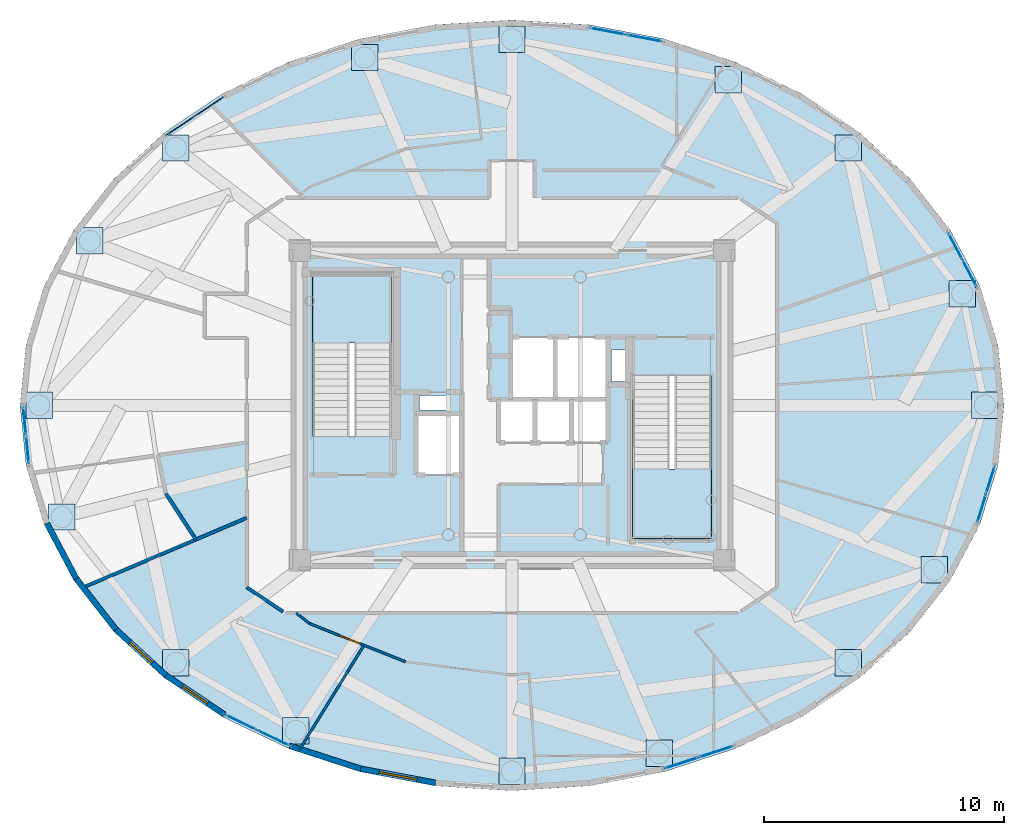
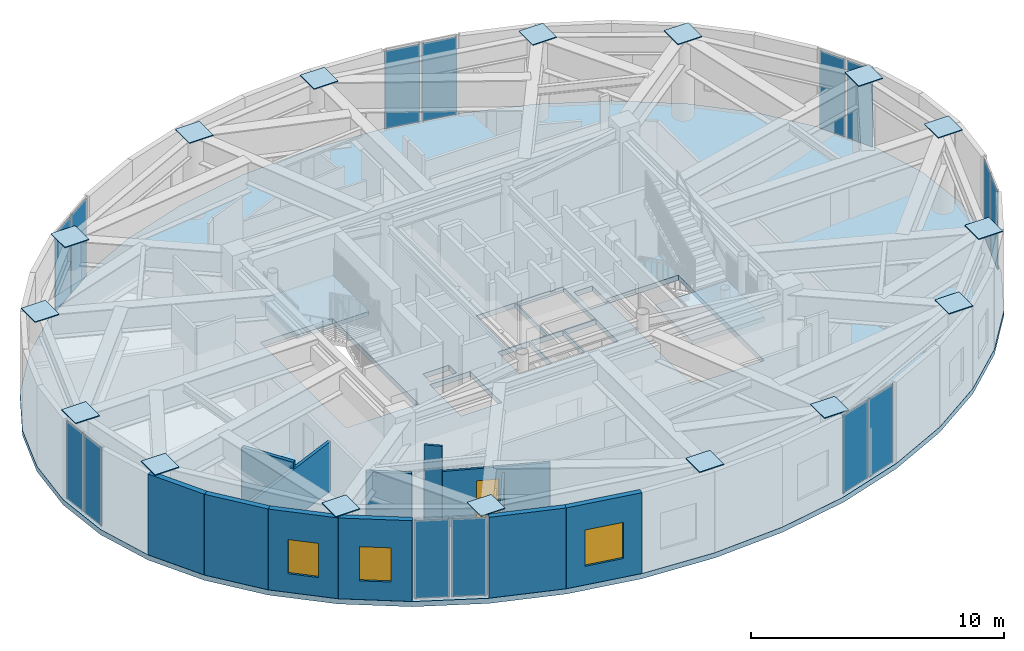
# One storey, part 13 of 23: 30 plates, 12 walls, 3 slabs, 3 windows, 1 door, 4 openings, 9 elements without a shape of their own.
"""IFC4 building model written with IfcOpenShell, lengths in metres."""

from ifc_helpers import new_model, si_unit, direction, frame, frame_2d, origin, origin_2d, place, context, subcontext, project, spatial, polyline, rectangle, outline, extrude, source, transform, mapped, material, layer, layer_set, type_object, element, fill, aggregate, save


model = new_model("IFC4")

# Units and contexts
model_context = context("Model", 3, precision=1e-05, world=origin(), true_north=direction((0.0, 1.0)))
body_context = subcontext(model_context, "Body", "Model", "MODEL_VIEW")
ifc_project = project(units=[si_unit("LENGTHUNIT", "METRE"), si_unit("AREAUNIT", "SQUARE_METRE"), si_unit("VOLUMEUNIT", "CUBIC_METRE"), si_unit("PLANEANGLEUNIT", "RADIAN"), si_unit("MASSUNIT", "GRAM", prefix="KILO")], contexts=[model_context])

# Site, building, storey
site_placement = place(None, origin())
site = spatial("IfcSite", under=ifc_project, at=site_placement, CompositionType="ELEMENT")
building_placement = place(site_placement, origin())
building = spatial("IfcBuilding", under=site, at=building_placement, Name="Linh Dai School and Residence Tower", CompositionType="ELEMENT")
storey_placement = place(building_placement, frame((0.0, 0.0, 359.39990234375)))
storey = spatial("IfcBuildingStorey", under=building, at=storey_placement, Name="L89", CompositionType="ELEMENT", Elevation=359.39990234375)

# Slab
ifc_material_1 = material(Name="Concrete B45 (C35/45)", Category="concrete")
ifc_layer_1 = layer(ifc_material_1, 0.25)
ifc_layer_set_1 = layer_set([ifc_layer_1], Name="Concrete B45 (C35/45)")
slab_type_1 = type_object("IfcSlabType", Name="SLB-FLR250", PredefinedType="FLOOR", material=ifc_layer_set_1)
slab_1_placement = place(storey_placement, frame((0.0, 0.0, -0.25)))
element("IfcSlab", 1, at=slab_1_placement, inside=storey, type_object=slab_type_1, Name="L89 Composite Structural Floor Slab", PredefinedType="FLOOR", context=body_context, shape_type="SweptSolid", body=[
    extrude(outline(polyline([(56.5, 27.0), (56.24755859375, 29.511474609375), (55.49658203125, 31.961181640625), (54.265625, 34.288818359375), (52.5849609375, 36.43701171875), (50.49560546875, 38.3525390625), (48.049560546875, 39.98876953125), (45.306884765625, 41.30517578125), (42.3349609375, 42.269287109375), (39.206787109375, 42.857421875), (36.0, 43.054931640625), (32.793212890625, 42.857421875), (29.6650390625, 42.269287109375), (26.693115234375, 41.30517578125), (23.950439453125, 39.98876953125), (21.50439453125, 38.3525390625), (19.4150390625, 36.43701171875), (17.734375, 34.288818359375), (16.50341796875, 31.961181640625), (15.75244140625, 29.511474609375), (15.5, 27.0), (15.75244140625, 24.488525390625), (16.50341796875, 22.038818359375), (17.734375, 19.711181640625), (19.4150390625, 17.56298828125), (21.50439453125, 15.6474609375), (23.950439453125, 14.01123046875), (26.693115234375, 12.69482421875), (29.6650390625, 11.730712890625), (32.793212890625, 11.142578125), (36.0, 10.945068359375), (39.206787109375, 11.142578125), (42.3349609375, 11.730712890625), (45.306884765625, 12.69482421875), (48.049560546875, 14.01123046875), (50.49560546875, 15.6474609375), (52.5849609375, 17.56298828125), (54.265625, 19.711181640625), (55.49658203125, 22.038818359375), (56.24755859375, 24.488525390625), (56.5, 27.0)]), holes=[polyline([(30.97998046875, 25.699951171875), (30.97998046875, 32.5), (27.679931640625, 32.5), (27.679931640625, 25.699951171875), (30.97998046875, 25.699951171875)]), polyline([(41.02001953125, 28.25), (41.02001953125, 21.449951171875), (44.320068359375, 21.449951171875), (44.320068359375, 28.25), (41.02001953125, 28.25)]), polyline([(35.97998046875, 27.280029296875), (37.77001953125, 27.280029296875), (37.77001953125, 29.820068359375), (35.97998046875, 29.820068359375), (35.97998046875, 27.280029296875)]), polyline([(32.030029296875, 24.1298828125), (33.8701171875, 24.1298828125), (33.8701171875, 26.6201171875), (32.030029296875, 26.6201171875), (32.030029296875, 24.1298828125)]), polyline([(37.830078125, 27.280029296875), (39.969970703125, 27.280029296875), (39.969970703125, 29.820068359375), (37.830078125, 29.820068359375), (37.830078125, 27.280029296875)]), polyline([(35.47998046875, 25.47998046875), (36.929931640625, 25.47998046875), (36.929931640625, 27.219970703125), (35.47998046875, 27.219970703125), (35.47998046875, 25.47998046875)]), polyline([(36.989990234375, 25.47998046875), (38.449951171875, 25.47998046875), (38.449951171875, 27.219970703125), (36.989990234375, 27.219970703125), (36.989990234375, 25.47998046875)]), polyline([(38.510009765625, 25.47998046875), (39.969970703125, 25.47998046875), (39.969970703125, 27.219970703125), (38.510009765625, 27.219970703125), (38.510009765625, 25.47998046875)]), polyline([(40.14990234375, 28.0), (40.14990234375, 29.300048828125), (41.0, 29.300048828125), (41.0, 28.280029296875), (40.989990234375, 28.280029296875), (40.989990234375, 28.0), (40.14990234375, 28.0)]), polyline([(32.14990234375, 26.800048828125), (33.35009765625, 26.800048828125), (33.35009765625, 27.39990234375), (32.14990234375, 27.39990234375), (32.14990234375, 26.800048828125)])]), origin(), (0.0, 0.0, 1.0), 0.25),
])

# Stair, slab
stair_type = type_object("IfcStairType", Name="ST-DOG-1550-R1500", PredefinedType="HALF_TURN_STAIR", material=ifc_material_1)
stair_1_placement = place(storey_placement, origin())
stair_1 = element("IfcStair", 2, at=stair_1_placement, inside=storey, type_object=stair_type, Name="L89 Core Smokeproof Exit Stair ST1", PredefinedType="HALF_TURN_STAIR")
ifc_layer_2 = layer(ifc_material_1, 0.199951171875)
ifc_layer_set_2 = layer_set([ifc_layer_2], Name="Concrete B45 (C35/45)")
slab_type_2 = type_object("IfcSlabType", Name="SLB-ST-LANDING-200", PredefinedType="LANDING", material=ifc_layer_set_2)
slab_2_placement = place(storey_placement, frame((0.0, 0.0, 1.900146484375)))
slab_2 = element("IfcSlab", 3, at=slab_2_placement, type_object=slab_type_2, Name="ST1 landing 1", PredefinedType="LANDING", context=body_context, shape_type="SweptSolid", body=[
    extrude(outline(polyline([(30.97998046875, 29.60009765625), (30.97998046875, 32.5), (27.679931640625, 32.5), (27.679931640625, 29.60009765625), (30.97998046875, 29.60009765625)])), origin(), (0.0, 0.0, 1.0), 0.199951171875),
])
aggregate(stair_1, [slab_2])

stair_2_placement = place(storey_placement, origin())
stair_2 = element("IfcStair", 4, at=stair_2_placement, inside=storey, type_object=stair_type, Name="L89 Core Smokeproof Exit Stair ST2", PredefinedType="HALF_TURN_STAIR")
slab_3_placement = place(storey_placement, frame((0.0, 0.0, 1.900146484375)))
slab_3 = element("IfcSlab", 5, at=slab_3_placement, type_object=slab_type_2, Name="ST2 landing 1", PredefinedType="LANDING", context=body_context, shape_type="SweptSolid", body=[
    extrude(outline(polyline([(41.02001953125, 24.35009765625), (41.02001953125, 21.449951171875), (44.320068359375, 21.449951171875), (44.320068359375, 24.35009765625), (41.02001953125, 24.35009765625)])), origin(), (0.0, 0.0, 1.0), 0.199951171875),
])
aggregate(stair_2, [slab_3])

# Plates
ifc_material_2 = material(Name="Structural Steel S355JR", Category="steel")
ifc_layer_3 = layer(ifc_material_2, 0.0400390625)
ifc_layer_set_3 = layer_set([ifc_layer_3], Name="Structural Steel S355JR")
plate_type_1 = type_object("IfcPlateType", Name="PLT-GP1", PredefinedType="USERDEFINED", material=ifc_layer_set_3)
shared_shape_1 = source(origin(), body_context, "Body", "SweptSolid", [
    extrude(rectangle(XDim=1.10009765625, YDim=1.10009765625, at=origin_2d()), origin(), (0.0, 0.0, 1.0), 0.0400390625),
])
for number, where, z_axis, x_axis, name in (
    (6, (55.699951171875, 27.0, 3.900146484375), (0.0, 0.0, 1.0), (1.0, 0.0, 0.0), "L89 MC01 Column Cap Plate"),
    (7, (54.7578125, 31.65478515625, 3.900146484375), (0.0, 0.0, 1.0), (1.0, 0.0, 0.0), "L89 MC02 Column Cap Plate"),
    (8, (50.00244140625, 37.72265625, 3.900146484375), (0.0, 0.0, 1.0), (1.0, 0.0, 0.0), "L89 MC03 Column Cap Plate"),
    (9, (45.01025390625, 40.56201171875, 3.900146484375), (0.0, 0.0, 1.0), (1.0, 0.0, 0.0), "L89 MC04 Column Cap Plate"),
    (10, (36.0, 42.2548828125, 3.900146484375), (0.0, 0.0, 1.0), (1.0, 0.0, 0.0), "L89 MC05 Column Cap Plate"),
    (11, (29.862548828125, 41.493896484375, 3.900146484375), (0.0, 0.0, 1.0), (1.0, 0.0, 0.0), "L89 MC06 Column Cap Plate"),
    (12, (21.99755859375, 37.72265625, 3.900146484375), (0.0, 0.0, 1.0), (1.0, 0.0, 0.0), "L89 MC07 Column Cap Plate"),
    (13, (18.405029296875, 33.8525390625, 3.900146484375), (0.0, 0.0, 1.0), (1.0, 0.0, 0.0), "L89 MC08 Column Cap Plate"),
    (14, (16.300048828125, 27.0, 3.900146484375), (0.0, 0.0, 1.0), (1.0, 0.0, 0.0), "L89 MC09 Column Cap Plate"),
    (15, (17.2421875, 22.34521484375, 3.900146484375), (0.0, 0.0, 1.0), (1.0, 0.0, 0.0), "L89 MC10 Column Cap Plate"),
    (16, (21.99755859375, 16.27734375, 3.900146484375), (0.0, 0.0, 1.0), (1.0, 0.0, 0.0), "L89 MC11 Column Cap Plate"),
    (17, (26.98974609375, 13.43798828125, 3.900146484375), (0.0, 0.0, 1.0), (1.0, 0.0, 0.0), "L89 MC12 Column Cap Plate"),
    (18, (36.0, 11.7451171875, 3.900146484375), (0.0, 0.0, 1.0), (1.0, 0.0, 0.0), "L89 MC13 Column Cap Plate"),
    (19, (42.137451171875, 12.506103515625, 3.900146484375), (0.0, 0.0, 1.0), (1.0, 0.0, 0.0), "L89 MC14 Column Cap Plate"),
    (20, (50.00244140625, 16.27734375, 3.900146484375), (0.0, 0.0, 1.0), (1.0, 0.0, 0.0), "L89 MC15 Column Cap Plate"),
    (21, (53.594970703125, 20.1474609375, 3.900146484375), (0.0, 0.0, 1.0), (1.0, 0.0, 0.0), "L89 MC16 Column Cap Plate"),
):
    element("IfcPlate", number, at=place(storey_placement, frame(where, z_axis=z_axis, x_axis=x_axis)), inside=storey, type_object=plate_type_1, Name=name, ObjectType="GUSSET PLATE", PredefinedType="USERDEFINED", context=body_context, shape_type="MappedRepresentation", body=[
        mapped(shared_shape_1, transform((0.0, 0.0, 0.0), x_axis=(1.0, 0.0, 0.0), y_axis=(0.0, 1.0, 0.0), z_axis=(0.0, 0.0, 1.0), scale=1.0)),
    ])

# Curtain wall, plates
ifc_material_3 = material(Name="Aluminium Anodised Curtain Wall", Category="aluminium")
ifc_layer_4 = layer(ifc_material_3, 0.199951171875)
ifc_layer_set_4 = layer_set([ifc_layer_4], Name="Aluminium Anodised Curtain Wall")
curtain_wall_type = type_object("IfcCurtainWallType", Name="CW-SYS-6", PredefinedType="USERDEFINED", material=ifc_layer_set_4)
curtain_wall_1_placement = place(storey_placement, origin())
curtain_wall_1 = element("IfcCurtainWall", 22, at=curtain_wall_1_placement, inside=storey, type_object=curtain_wall_type, Name="L89 CW6 Curtain Wall 09", ObjectType="UNITISED CURTAIN WALL", PredefinedType="USERDEFINED")
ifc_material_4 = material(Name="Double Low-E Insulated Glazing", Category="glass")
ifc_layer_5 = layer(ifc_material_4, 0.035888671875)
ifc_layer_set_5 = layer_set([ifc_layer_5], Name="Double Low-E Insulated Glazing")
plate_type_2 = type_object("IfcPlateType", Name="CW-SYS-6-PAN", PredefinedType="CURTAIN_PANEL", material=ifc_layer_set_5)
shared_shape_2 = source(origin(), body_context, "Body", "SweptSolid", [
    extrude(rectangle(XDim=1.470947265625, YDim=0.035888671875, at=origin_2d()), origin(), (0.0, 0.0, 1.0), 3.75),
])
plate_1_placement = place(storey_placement, frame((39.988037109375, 42.58349609375, 0.0751953125), z_axis=(0.0, 0.0, 1.0), x_axis=(0.982779051851, -0.184784564405, 0.0)))
plate_1 = element("IfcPlate", 23, at=plate_1_placement, type_object=plate_type_2, Name="CW6 panel 1.1", PredefinedType="CURTAIN_PANEL", context=body_context, shape_type="MappedRepresentation", body=[
    mapped(shared_shape_2, transform((0.0, 0.0, 0.0), x_axis=(1.0, 0.0, 0.0), y_axis=(0.0, 1.0, 0.0), z_axis=(0.0, 0.0, 1.0), scale=1.0)),
])
plate_2_placement = place(storey_placement, frame((41.507568359375, 42.2978515625, 0.0751953125), z_axis=(0.0, 0.0, 1.0), x_axis=(0.982779051851, -0.184784564405, 0.0)))
plate_2 = element("IfcPlate", 24, at=plate_2_placement, type_object=plate_type_2, Name="CW6 panel 2.1", PredefinedType="CURTAIN_PANEL", context=body_context, shape_type="MappedRepresentation", body=[
    mapped(shared_shape_2, transform((0.0, 0.0, 0.0), x_axis=(1.0, 0.0, 0.0), y_axis=(0.0, 1.0, 0.0), z_axis=(0.0, 0.0, 1.0), scale=1.0)),
])
aggregate(curtain_wall_1, [plate_1, plate_2])

curtain_wall_2_placement = place(storey_placement, origin())
curtain_wall_2 = element("IfcCurtainWall", 25, at=curtain_wall_2_placement, inside=storey, type_object=curtain_wall_type, Name="L89 CW6 Curtain Wall 15", ObjectType="UNITISED CURTAIN WALL", PredefinedType="USERDEFINED")
shared_shape_3 = source(origin(), body_context, "Body", "SweptSolid", [
    extrude(rectangle(XDim=1.349853515625, YDim=0.035888671875, at=origin_2d()), origin(), (0.0, 0.0, 1.0), 3.75),
])
plate_3_placement = place(storey_placement, frame((22.20458984375, 38.671142578125, 0.0751953125), z_axis=(0.0, 0.0, 1.0), x_axis=(0.831201837679, 0.555970777144, 0.0)))
plate_3 = element("IfcPlate", 26, at=plate_3_placement, type_object=plate_type_2, Name="CW6 panel 1.1", PredefinedType="CURTAIN_PANEL", context=body_context, shape_type="MappedRepresentation", body=[
    mapped(shared_shape_3, transform((0.0, 0.0, 0.0), x_axis=(1.0, 0.0, 0.0), y_axis=(0.0, 1.0, 0.0), z_axis=(0.0, 0.0, 1.0), scale=1.0)),
])
plate_4_placement = place(storey_placement, frame((23.388916015625, 39.463134765625, 0.0751953125), z_axis=(0.0, 0.0, 1.0), x_axis=(0.831201837679, 0.555970777144, 0.0)))
plate_4 = element("IfcPlate", 27, at=plate_4_placement, type_object=plate_type_2, Name="CW6 panel 2.1", PredefinedType="CURTAIN_PANEL", context=body_context, shape_type="MappedRepresentation", body=[
    mapped(shared_shape_3, transform((0.0, 0.0, 0.0), x_axis=(1.0, 0.0, 0.0), y_axis=(0.0, 1.0, 0.0), z_axis=(0.0, 0.0, 1.0), scale=1.0)),
])
aggregate(curtain_wall_2, [plate_3, plate_4])

curtain_wall_3_placement = place(storey_placement, origin())
curtain_wall_3 = element("IfcCurtainWall", 28, at=curtain_wall_3_placement, inside=storey, type_object=curtain_wall_type, Name="L89 CW6 Curtain Wall 21", ObjectType="UNITISED CURTAIN WALL", PredefinedType="USERDEFINED")
shared_shape_4 = source(origin(), body_context, "Body", "SweptSolid", [
    extrude(rectangle(XDim=1.13720703125, YDim=0.035888671875, at=origin_2d()), origin(), (0.0, 0.0, 1.0), 3.75),
])
plate_5_placement = place(storey_placement, frame((15.810546875, 25.153564453125, 0.0751953125), z_axis=(0.0, 0.0, 1.0), x_axis=(-0.099991763355, 0.994988264886, 0.0)))
plate_5 = element("IfcPlate", 29, at=plate_5_placement, type_object=plate_type_2, Name="CW6 panel 1.1", PredefinedType="CURTAIN_PANEL", context=body_context, shape_type="MappedRepresentation", body=[
    mapped(shared_shape_4, transform((0.0, 0.0, 0.0), x_axis=(1.0, 0.0, 0.0), y_axis=(0.0, 1.0, 0.0), z_axis=(0.0, 0.0, 1.0), scale=1.0)),
])
plate_6_placement = place(storey_placement, frame((15.689453125, 26.359619140625, 0.0751953125), z_axis=(0.0, 0.0, 1.0), x_axis=(-0.099991763355, 0.994988264886, 0.0)))
plate_6 = element("IfcPlate", 30, at=plate_6_placement, type_object=plate_type_2, Name="CW6 panel 2.1", PredefinedType="CURTAIN_PANEL", context=body_context, shape_type="MappedRepresentation", body=[
    mapped(shared_shape_4, transform((0.0, 0.0, 0.0), x_axis=(1.0, 0.0, 0.0), y_axis=(0.0, 1.0, 0.0), z_axis=(0.0, 0.0, 1.0), scale=1.0)),
])
aggregate(curtain_wall_3, [plate_5, plate_6])

curtain_wall_4_placement = place(storey_placement, origin())
curtain_wall_4 = element("IfcCurtainWall", 31, at=curtain_wall_4_placement, inside=storey, type_object=curtain_wall_type, Name="L89 CW6 Curtain Wall 27", ObjectType="UNITISED CURTAIN WALL", PredefinedType="USERDEFINED")
shared_shape_5 = source(origin(), body_context, "Body", "SweptSolid", [
    extrude(rectangle(XDim=1.400146484375, YDim=0.035888671875, at=origin_2d()), origin(), (0.0, 0.0, 1.0), 3.75),
])
plate_7_placement = place(storey_placement, frame((26.040771484375, 13.146240234375, 0.0751953125), z_axis=(0.0, 0.0, 1.0), x_axis=(-0.901550652892, 0.432673572419, 0.0)))
plate_7 = element("IfcPlate", 32, at=plate_7_placement, type_object=plate_type_2, Name="CW6 panel 1.1", PredefinedType="CURTAIN_PANEL", context=body_context, shape_type="MappedRepresentation", body=[
    mapped(shared_shape_5, transform((0.0, 0.0, 0.0), x_axis=(1.0, 0.0, 0.0), y_axis=(0.0, 1.0, 0.0), z_axis=(0.0, 0.0, 1.0), scale=1.0)),
])
plate_8_placement = place(storey_placement, frame((24.7109375, 13.784423828125, 0.0751953125), z_axis=(0.0, 0.0, 1.0), x_axis=(-0.901550652892, 0.432673572419, 0.0)))
plate_8 = element("IfcPlate", 33, at=plate_8_placement, type_object=plate_type_2, Name="CW6 panel 2.1", PredefinedType="CURTAIN_PANEL", context=body_context, shape_type="MappedRepresentation", body=[
    mapped(shared_shape_5, transform((0.0, 0.0, 0.0), x_axis=(1.0, 0.0, 0.0), y_axis=(0.0, 1.0, 0.0), z_axis=(0.0, 0.0, 1.0), scale=1.0)),
])
aggregate(curtain_wall_4, [plate_7, plate_8])

curtain_wall_5_placement = place(storey_placement, origin())
curtain_wall_5 = element("IfcCurtainWall", 34, at=curtain_wall_5_placement, inside=storey, type_object=curtain_wall_type, Name="L89 CW6 Curtain Wall 33", ObjectType="UNITISED CURTAIN WALL", PredefinedType="USERDEFINED")
shared_shape_6 = source(origin(), body_context, "Body", "SweptSolid", [
    extrude(rectangle(XDim=1.441650390625, YDim=0.035888671875, at=origin_2d()), origin(), (0.0, 0.0, 1.0), 3.75),
])
plate_9_placement = place(storey_placement, frame((44.50341796875, 12.5654296875, 0.0751953125), z_axis=(0.0, 0.0, 1.0), x_axis=(-0.951203168298, -0.30856528097, 0.0)))
plate_9 = element("IfcPlate", 35, at=plate_9_placement, type_object=plate_type_2, Name="CW6 panel 1.1", PredefinedType="CURTAIN_PANEL", context=body_context, shape_type="MappedRepresentation", body=[
    mapped(shared_shape_6, transform((0.0, 0.0, 0.0), x_axis=(1.0, 0.0, 0.0), y_axis=(0.0, 1.0, 0.0), z_axis=(0.0, 0.0, 1.0), scale=1.0)),
])
plate_10_placement = place(storey_placement, frame((43.06103515625, 12.097412109375, 0.0751953125), z_axis=(0.0, 0.0, 1.0), x_axis=(-0.951203168298, -0.30856528097, 0.0)))
plate_10 = element("IfcPlate", 36, at=plate_10_placement, type_object=plate_type_2, Name="CW6 panel 2.1", PredefinedType="CURTAIN_PANEL", context=body_context, shape_type="MappedRepresentation", body=[
    mapped(shared_shape_6, transform((0.0, 0.0, 0.0), x_axis=(1.0, 0.0, 0.0), y_axis=(0.0, 1.0, 0.0), z_axis=(0.0, 0.0, 1.0), scale=1.0)),
])
aggregate(curtain_wall_5, [plate_9, plate_10])

curtain_wall_6_placement = place(storey_placement, origin())
curtain_wall_6 = element("IfcCurtainWall", 37, at=curtain_wall_6_placement, inside=storey, type_object=curtain_wall_type, Name="L89 CW6 Curtain Wall 03", ObjectType="UNITISED CURTAIN WALL", PredefinedType="USERDEFINED")
shared_shape_7 = source(origin(), body_context, "Body", "SweptSolid", [
    extrude(rectangle(XDim=1.192626953125, YDim=0.035888671875, at=origin_2d()), origin(), (0.0, 0.0, 1.0), 3.75),
])
plate_11_placement = place(storey_placement, frame((54.474609375, 33.627197265625, 0.0751953125), z_axis=(0.0, 0.0, 1.0), x_axis=(0.46754020214, -0.883971809156, 0.0)))
plate_11 = element("IfcPlate", 38, at=plate_11_placement, type_object=plate_type_2, Name="CW6 panel 1.1", PredefinedType="CURTAIN_PANEL", context=body_context, shape_type="MappedRepresentation", body=[
    mapped(shared_shape_7, transform((0.0, 0.0, 0.0), x_axis=(1.0, 0.0, 0.0), y_axis=(0.0, 1.0, 0.0), z_axis=(0.0, 0.0, 1.0), scale=1.0)),
])
plate_12_placement = place(storey_placement, frame((55.0673828125, 32.5068359375, 0.0751953125), z_axis=(0.0, 0.0, 1.0), x_axis=(0.46754020214, -0.883971809156, 0.0)))
plate_12 = element("IfcPlate", 39, at=plate_12_placement, type_object=plate_type_2, Name="CW6 panel 2.1", PredefinedType="CURTAIN_PANEL", context=body_context, shape_type="MappedRepresentation", body=[
    mapped(shared_shape_7, transform((0.0, 0.0, 0.0), x_axis=(1.0, 0.0, 0.0), y_axis=(0.0, 1.0, 0.0), z_axis=(0.0, 0.0, 1.0), scale=1.0)),
])
aggregate(curtain_wall_6, [plate_11, plate_12])

curtain_wall_7_placement = place(storey_placement, origin())
curtain_wall_7 = element("IfcCurtainWall", 40, at=curtain_wall_7_placement, inside=storey, type_object=curtain_wall_type, Name="L89 CW6 Curtain Wall 39", ObjectType="UNITISED CURTAIN WALL", PredefinedType="USERDEFINED")
shared_shape_8 = source(origin(), body_context, "Body", "SweptSolid", [
    extrude(rectangle(XDim=1.156494140625, YDim=0.035888671875, at=origin_2d()), origin(), (0.0, 0.0, 1.0), 3.75),
])
plate_13_placement = place(storey_placement, frame((55.93359375, 23.888671875, 0.0751953125), z_axis=(0.0, 0.0, 1.0), x_axis=(-0.293094784248, -0.956083389379, 0.0)))
plate_13 = element("IfcPlate", 41, at=plate_13_placement, type_object=plate_type_2, Name="CW6 panel 1.1", PredefinedType="CURTAIN_PANEL", context=body_context, shape_type="MappedRepresentation", body=[
    mapped(shared_shape_8, transform((0.0, 0.0, 0.0), x_axis=(1.0, 0.0, 0.0), y_axis=(0.0, 1.0, 0.0), z_axis=(0.0, 0.0, 1.0), scale=1.0)),
])
plate_14_placement = place(storey_placement, frame((55.57275390625, 22.711181640625, 0.0751953125), z_axis=(0.0, 0.0, 1.0), x_axis=(-0.293094784248, -0.956083389379, 0.0)))
plate_14 = element("IfcPlate", 42, at=plate_14_placement, type_object=plate_type_2, Name="CW6 panel 2.1", PredefinedType="CURTAIN_PANEL", context=body_context, shape_type="MappedRepresentation", body=[
    mapped(shared_shape_8, transform((0.0, 0.0, 0.0), x_axis=(1.0, 0.0, 0.0), y_axis=(0.0, 1.0, 0.0), z_axis=(0.0, 0.0, 1.0), scale=1.0)),
])
aggregate(curtain_wall_7, [plate_13, plate_14])

# Walls
ifc_material_5 = material(Name="Precast Concrete B45 (C35/45)", Category="concrete")
ifc_layer_6 = layer(ifc_material_5, 0.239990234375)
ifc_layer_set_6 = layer_set([ifc_layer_6], Name="Precast Concrete B45 (C35/45)")
wall_type_1 = type_object("IfcWallType", Name="EW-TC-240", PredefinedType="SOLIDWALL", material=ifc_layer_set_6)
wall_1_placement = place(storey_placement, frame((17.839111328125, 19.779296875, 0.0), z_axis=(0.0, 0.0, 1.0), x_axis=(-0.467487999989, 0.883999417345, 0.0)))
element("IfcWall", 43, at=wall_1_placement, inside=storey, type_object=wall_type_1, Name="L89 Terracotta Exterior Wall 23", PredefinedType="SOLIDWALL", context=body_context, shape_type="SweptSolid", body=[
    extrude(rectangle(XDim=2.610107421875, YDim=0.239990234375, at=frame_2d((1.30517578125, 0.0))), origin(), (0.0, 0.0, 1.0), 3.900146484375),
])
wall_2_placement = place(storey_placement, frame((19.5068359375, 17.648193359375, 0.0), z_axis=(0.0, 0.0, 1.0), x_axis=(-0.616286367698, 0.78752213492, 0.0)))
element("IfcWall", 44, at=wall_2_placement, inside=storey, type_object=wall_type_1, Name="L89 Terracotta Exterior Wall 24", PredefinedType="SOLIDWALL", context=body_context, shape_type="SweptSolid", body=[
    extrude(rectangle(XDim=2.7060546875, YDim=0.239990234375, at=frame_2d((1.35302734375, 0.0))), origin(), (0.0, 0.0, 1.0), 3.900146484375),
])

# Wall, opening, window
wall_3_placement = place(storey_placement, frame((21.581298828125, 15.745849609375, 0.0), z_axis=(0.0, 0.0, 1.0), x_axis=(-0.737020907932, 0.675869944051, 0.0)))
wall_3 = element("IfcWall", 45, at=wall_3_placement, inside=storey, type_object=wall_type_1, Name="L89 Terracotta Exterior Wall 25", PredefinedType="SOLIDWALL", context=body_context, shape_type="SweptSolid", body=[
    extrude(rectangle(XDim=2.814697265625, YDim=0.239990234375, at=frame_2d((1.4072265625, 0.0))), origin(), (0.0, 0.0, 1.0), 3.900146484375),
])
opening_1_placement = place(wall_3_placement, frame((0.781982421875, 0.0, 0.89990234375)))
opening_1 = element("IfcOpeningElement", 46, at=opening_1_placement, cuts=wall_3, Name="Opening W3", PredefinedType="OPENING", context=body_context, shape_type="SweptSolid", body=[
    extrude(rectangle(XDim=1.25, YDim=1.64990234375, at=origin_2d()), frame((0.625, 0.1298828125, 0.824951171875), z_axis=(0.0, -1.0, 0.0), x_axis=(1.0, 0.0, 0.0)), (0.0, 0.0, 1.0), 0.260009765625),
])
window_type_1 = type_object("IfcWindowType", Name="WN-RES-1250x1650", PartitioningType="SINGLE_PANEL", PredefinedType="WINDOW", material=ifc_material_4)
shared_shape_9 = source(origin(), body_context, "Body", "SweptSolid", [
    extrude(rectangle(XDim=1.25, YDim=1.64990234375, at=origin_2d()), frame((0.625, 0.030029296875, 0.824951171875), z_axis=(0.0, -1.0, 0.0), x_axis=(1.0, 0.0, 0.0)), (0.0, 0.0, 1.0), 0.06005859375),
])
window_1_placement = place(opening_1_placement, origin())
window_1 = element("IfcWindow", 47, at=window_1_placement, inside=storey, type_object=window_type_1, Name="L89 Exterior Window 25.1", OverallHeight=1.64990234375, OverallWidth=1.25, PartitioningType="SINGLE_PANEL", PredefinedType="WINDOW", context=body_context, shape_type="MappedRepresentation", body=[
    mapped(shared_shape_9, transform((0.0, 0.0, 0.0), x_axis=(1.0, 0.0, 0.0), y_axis=(0.0, 1.0, 0.0), z_axis=(0.0, 0.0, 1.0), scale=1.0)),
])
fill(opening_1, window_1)

wall_4_placement = place(storey_placement, frame((24.01220703125, 14.119873046875, 0.0), z_axis=(0.0, 0.0, 1.0), x_axis=(-0.831201688654, 0.555970999944, 0.0)))
wall_4 = element("IfcWall", 48, at=wall_4_placement, inside=storey, type_object=wall_type_1, Name="L89 Terracotta Exterior Wall 26", PredefinedType="SOLIDWALL", context=body_context, shape_type="SweptSolid", body=[
    extrude(rectangle(XDim=2.924560546875, YDim=0.239990234375, at=frame_2d((1.46240234375, 0.0))), origin(), (0.0, 0.0, 1.0), 3.900146484375),
])
opening_2_placement = place(wall_4_placement, frame((0.837158203125, 0.0, 0.89990234375)))
opening_2 = element("IfcOpeningElement", 49, at=opening_2_placement, cuts=wall_4, Name="Opening W3", PredefinedType="OPENING", context=body_context, shape_type="SweptSolid", body=[
    extrude(rectangle(XDim=1.25, YDim=1.64990234375, at=origin_2d()), frame((0.625, 0.1298828125, 0.824951171875), z_axis=(0.0, -1.0, 0.0), x_axis=(1.0, 0.0, 0.0)), (0.0, 0.0, 1.0), 0.260009765625),
])
window_2_placement = place(opening_2_placement, origin())
window_2 = element("IfcWindow", 50, at=window_2_placement, inside=storey, type_object=window_type_1, Name="L89 Exterior Window 26.1", OverallHeight=1.64990234375, OverallWidth=1.25, PartitioningType="SINGLE_PANEL", PredefinedType="WINDOW", context=body_context, shape_type="MappedRepresentation", body=[
    mapped(shared_shape_9, transform((0.0, 0.0, 0.0), x_axis=(1.0, 0.0, 0.0), y_axis=(0.0, 1.0, 0.0), z_axis=(0.0, 0.0, 1.0), scale=1.0)),
])
fill(opening_2, window_2)

# Wall
wall_5_placement = place(storey_placement, frame((29.696044921875, 11.85205078125, 0.0), z_axis=(0.0, 0.0, 1.0), x_axis=(-0.951212850731, 0.308535431682, 0.0)))
element("IfcWall", 51, at=wall_5_placement, inside=storey, type_object=wall_type_1, Name="L89 Terracotta Exterior Wall 28", PredefinedType="SOLIDWALL", context=body_context, shape_type="SweptSolid", body=[
    extrude(rectangle(XDim=3.108154296875, YDim=0.239990234375, at=frame_2d((1.55419921875, 0.0))), origin(), (0.0, 0.0, 1.0), 3.900146484375),
])

# Wall, opening, window
wall_6_placement = place(storey_placement, frame((32.80859375, 11.2666015625, 0.0), z_axis=(0.0, 0.0, 1.0), x_axis=(-0.98276643264, 0.184851667226, 0.0)))
wall_6 = element("IfcWall", 52, at=wall_6_placement, inside=storey, type_object=wall_type_1, Name="L89 Terracotta Exterior Wall 29", PredefinedType="SOLIDWALL", context=body_context, shape_type="SweptSolid", body=[
    extrude(rectangle(XDim=3.167236328125, YDim=0.239990234375, at=frame_2d((1.58349609375, 0.0))), origin(), (0.0, 0.0, 1.0), 3.900146484375),
])
opening_3_placement = place(wall_6_placement, frame((0.783447265625, 0.0, 0.89990234375)))
opening_3 = element("IfcOpeningElement", 53, at=opening_3_placement, cuts=wall_6, Name="Opening W2", PredefinedType="OPENING", context=body_context, shape_type="SweptSolid", body=[
    extrude(rectangle(XDim=1.60009765625, YDim=1.75, at=origin_2d()), frame((0.800048828125, 0.1298828125, 0.875), z_axis=(0.0, -1.0, 0.0), x_axis=(1.0, 0.0, 0.0)), (0.0, 0.0, 1.0), 0.260009765625),
])
window_type_2 = type_object("IfcWindowType", Name="WN-RES-1600x1750", PartitioningType="DOUBLE_PANEL_VERTICAL", PredefinedType="WINDOW", material=ifc_material_4)
shared_shape_10 = source(origin(), body_context, "Body", "SweptSolid", [
    extrude(rectangle(XDim=1.60009765625, YDim=1.75, at=origin_2d()), frame((0.800048828125, 0.030029296875, 0.875), z_axis=(0.0, -1.0, 0.0), x_axis=(1.0, 0.0, 0.0)), (0.0, 0.0, 1.0), 0.06005859375),
])
window_3_placement = place(opening_3_placement, origin())
window_3 = element("IfcWindow", 54, at=window_3_placement, inside=storey, type_object=window_type_2, Name="L89 Exterior Window 29.1", OverallHeight=1.75, OverallWidth=1.60009765625, PartitioningType="DOUBLE_PANEL_VERTICAL", PredefinedType="WINDOW", context=body_context, shape_type="MappedRepresentation", body=[
    mapped(shared_shape_10, transform((0.0, 0.0, 0.0), x_axis=(1.0, 0.0, 0.0), y_axis=(0.0, 1.0, 0.0), z_axis=(0.0, 0.0, 1.0), scale=1.0)),
])
fill(opening_3, window_3)

# Walls
ifc_material_6 = material(Name="Autoclaved Aerated Concrete Blockwork", Category="masonry")
ifc_layer_7 = layer(ifc_material_6, 0.135009765625)
ifc_layer_set_7 = layer_set([ifc_layer_7], Name="Autoclaved Aerated Concrete Blockwork")
wall_type_2 = type_object("IfcWallType", Name="IW-CORR-135-EI90", PredefinedType="PARTITIONING", material=ifc_layer_set_7)
wall_7_placement = place(storey_placement, frame((18.12109375, 19.410888671875, 0.0), z_axis=(0.0, 0.0, 1.0), x_axis=(0.920504676902, 0.390731544416, 0.0)))
element("IfcWall", 55, at=wall_7_placement, inside=storey, type_object=wall_type_2, Name="L89 Interior Partition Wall 003", PredefinedType="PARTITIONING", context=body_context, shape_type="SweptSolid", body=[
    extrude(rectangle(XDim=7.418701171875, YDim=0.135009765625, at=frame_2d((3.70947265625, 0.0))), origin(), (0.0, 0.0, 1.0), 2.385009765625),
])
wall_8_placement = place(storey_placement, frame((24.949951171875, 19.41748046875, 0.0), z_axis=(0.0, 0.0, 1.0), x_axis=(0.831180227396, -0.556003084151, 0.0)))
element("IfcWall", 56, at=wall_8_placement, inside=storey, type_object=wall_type_2, Name="L89 Interior Partition Wall 011", PredefinedType="PARTITIONING", context=body_context, shape_type="SweptSolid", body=[
    extrude(rectangle(XDim=1.815185546875, YDim=0.135009765625, at=frame_2d((0.90771484375, 0.0))), origin(), (0.0, 0.0, 1.0), 2.68505859375),
])
ifc_layer_8 = layer(ifc_material_6, 0.14990234375)
ifc_layer_set_8 = layer_set([ifc_layer_8], Name="Autoclaved Aerated Concrete Blockwork")
wall_type_3 = type_object("IfcWallType", Name="IW-SCH-150-EI60", PredefinedType="PARTITIONING", material=ifc_layer_set_8)
wall_9_placement = place(storey_placement, frame((21.572509765625, 23.32861328125, 0.0), z_axis=(0.0, 0.0, 1.0), x_axis=(0.545377524042, -0.838190525041, 0.0)))
element("IfcWall", 57, at=wall_9_placement, inside=storey, type_object=wall_type_3, Name="L89 Interior Partition Wall 005", PredefinedType="PARTITIONING", context=body_context, shape_type="SweptSolid", body=[
    extrude(rectangle(XDim=2.29296875, YDim=0.14990234375, at=frame_2d((1.146484375, 0.0))), origin(), (0.0, 0.0, 1.0), 2.68505859375),
])
ifc_material_7 = material(Name="Gypsum Plasterboard Acoustic Stud Partition", Category="masonry")
ifc_layer_9 = layer(ifc_material_7, 0.10009765625)
ifc_layer_set_9 = layer_set([ifc_layer_9], Name="Gypsum Plasterboard Acoustic Stud Partition")
wall_type_4 = type_object("IfcWallType", Name="IW-UNIT-100", PredefinedType="PARTITIONING", material=ifc_layer_set_9)
wall_10_placement = place(storey_placement, frame((27.000732421875, 18.35009765625, 0.0), z_axis=(0.0, 0.0, 1.0), x_axis=(0.787239073243, -0.616647907285, 0.0)))
element("IfcWall", 58, at=wall_10_placement, inside=storey, type_object=wall_type_4, Name="L89 Interior Partition Wall 016", PredefinedType="PARTITIONING", context=body_context, shape_type="SweptSolid", body=[
    extrude(rectangle(XDim=0.717041015625, YDim=0.10009765625, at=frame_2d((0.3583984375, 0.0))), origin(), (0.0, 0.0, 1.0), 3.900146484375),
])
wall_11_placement = place(storey_placement, frame((27.157470703125, 12.670166015625, 0.0), z_axis=(0.0, 0.0, 1.0), x_axis=(0.525159045518, 0.851004099233, 0.0)))
element("IfcWall", 59, at=wall_11_placement, inside=storey, type_object=wall_type_4, Name="L89 Interior Partition Wall 017", PredefinedType="PARTITIONING", context=body_context, shape_type="SweptSolid", body=[
    extrude(rectangle(XDim=5.092041015625, YDim=0.10009765625, at=frame_2d((2.5458984375, 0.0))), origin(), (0.0, 0.0, 1.0), 2.385009765625),
])

# Wall, opening, door
wall_12_placement = place(storey_placement, frame((27.565185546875, 17.907958984375, 0.0), z_axis=(0.0, 0.0, 1.0), x_axis=(0.928769595374, -0.370657576085, 0.0)))
wall_12 = element("IfcWall", 60, at=wall_12_placement, inside=storey, type_object=wall_type_4, Name="L89 Interior Partition Wall 020", PredefinedType="PARTITIONING", context=body_context, shape_type="SweptSolid", body=[
    extrude(rectangle(XDim=4.30712890625, YDim=0.10009765625, at=frame_2d((2.153564453125, 0.0))), origin(), (0.0, 0.0, 1.0), 2.68505859375),
])
opening_4_placement = place(wall_12_placement, frame((1.352783203125, 0.0, 0.0)))
opening_4 = element("IfcOpeningElement", 61, at=opening_4_placement, cuts=wall_12, Name="Opening D05", PredefinedType="OPENING", context=body_context, shape_type="SweptSolid", body=[
    extrude(rectangle(XDim=0.89990234375, YDim=2.10009765625, at=origin_2d()), frame((0.449951171875, 0.06005859375, 1.050048828125), z_axis=(0.0, -1.0, 0.0), x_axis=(1.0, 0.0, 0.0)), (0.0, 0.0, 1.0), 0.1201171875),
])
ifc_material_8 = material(Name="Engineered Timber Internal Door", Category="wood")
door_type = type_object("IfcDoorType", Name="DR-INT-900x2100", OperationType="NOTDEFINED", PredefinedType="DOOR", material=ifc_material_8)
shared_shape_11 = source(origin(), body_context, "Body", "SweptSolid", [
    extrude(rectangle(XDim=0.89990234375, YDim=2.10009765625, at=origin_2d()), frame((0.449951171875, 0.02490234375, 1.050048828125), z_axis=(0.0, -1.0, 0.0), x_axis=(1.0, 0.0, 0.0)), (0.0, 0.0, 1.0), 0.050048828125),
])
door_placement = place(opening_4_placement, origin())
door = element("IfcDoor", 62, at=door_placement, inside=storey, type_object=door_type, Name="L89 Apartment U8901 Principal Bedroom 1 Door", OperationType="SINGLE_SWING_LEFT", OverallHeight=2.10009765625, OverallWidth=0.89990234375, PredefinedType="DOOR", context=body_context, shape_type="MappedRepresentation", body=[
    mapped(shared_shape_11, transform((0.0, 0.0, 0.0), x_axis=(1.0, 0.0, 0.0), y_axis=(0.0, 1.0, 0.0), z_axis=(0.0, 0.0, 1.0), scale=1.0)),
])
fill(opening_4, door)

save(model, "model.ifc")
